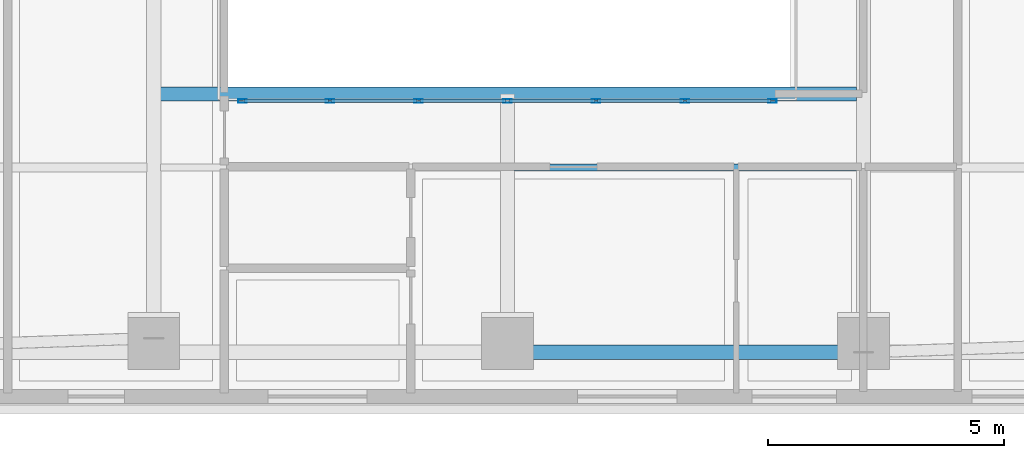
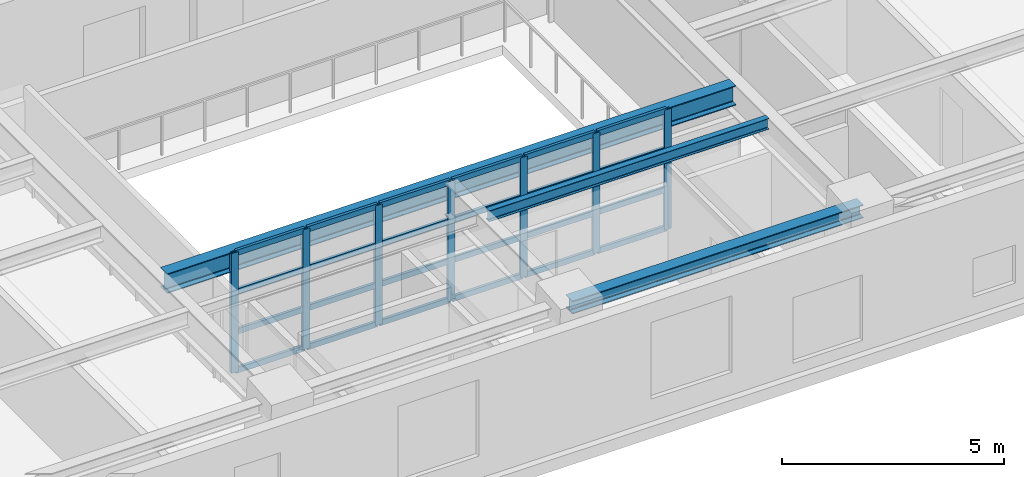
# One storey, part 2 of 12: 31 members, 3 beams, 1 element without a shape of its own.
"""IFC4 building model written with IfcOpenShell, lengths in metres."""

from ifc_helpers import new_model, si_unit, direction, frame, origin, origin_2d, place, context, subcontext, project, spatial, hollow_rectangle, i_section, extrude, material, layer, layer_set, material_profile, profile_set, type_object, element, aggregate, save


model = new_model("IFC4")

# Units and contexts
model_context = context("Model", 3, precision=1e-05, world=origin(), true_north=direction((0.0, 1.0)))
body_context = subcontext(model_context, "Body", "Model", "MODEL_VIEW")
ifc_project = project(units=[si_unit("LENGTHUNIT", "METRE"), si_unit("AREAUNIT", "SQUARE_METRE"), si_unit("VOLUMEUNIT", "CUBIC_METRE"), si_unit("PLANEANGLEUNIT", "RADIAN"), si_unit("MASSUNIT", "GRAM", prefix="KILO")], contexts=[model_context])

# Site, building, storey
site_placement = place(None, origin())
site = spatial("IfcSite", under=ifc_project, at=site_placement, CompositionType="ELEMENT")
building_placement = place(site_placement, origin())
building = spatial("IfcBuilding", under=site, at=building_placement, Name="Zarnavel Station Tower", CompositionType="ELEMENT")
storey_placement = place(building_placement, frame((0.0, 0.0, 159.0)))
storey = spatial("IfcBuildingStorey", under=building, at=storey_placement, Name="L43", CompositionType="ELEMENT", Elevation=159.0)

# Curtain wall, members
ifc_material_1 = material(Name="Aluminium Dark Anodised and Solar-Control Glass", Category="aluminium")
ifc_layer = layer(ifc_material_1, 0.179931640625)
ifc_layer_set = layer_set([ifc_layer], Name="CWS4")
curtain_wall_type = type_object("IfcCurtainWallType", Name="CWS4", PredefinedType="NOTDEFINED", material=ifc_layer_set)
curtain_wall_placement = place(storey_placement, origin())
curtain_wall = element("IfcCurtainWall", 1, at=curtain_wall_placement, inside=storey, type_object=curtain_wall_type, Name="L43 Curtain Wall CWS4-L43-AS", PredefinedType="NOTDEFINED")
ifc_material_2 = material(Name="Steel S355J2 (Black Fluoropolymer Coated)", Category="steel")
ifc_material_profile_1 = material_profile(ifc_material_2, hollow_rectangle(XDim=0.080078125, YDim=0.179931640625, WallThickness=0.00634765625, at=origin_2d()), Name="RHS180x80x6.3")
ifc_profile_set_1 = profile_set([ifc_material_profile_1], Name="Steel S355J2 (Black Fluoropolymer Coated)")
member_type_1 = type_object("IfcMemberType", Name="CWS4_MUL", PredefinedType="MULLION", material=ifc_profile_set_1)
member_1_placement = place(storey_placement, frame((23.179931640625, 16.85009765625, 0.0), z_axis=(0.0, 0.0, 1.0), x_axis=(0.0, 1.0, 0.0)))
member_1 = element("IfcMember", 2, at=member_1_placement, type_object=member_type_1, Name="CW4 mullion 1", PredefinedType="MULLION", context=body_context, shape_type="SweptSolid", body=[
    extrude(hollow_rectangle(XDim=0.080078125, YDim=0.179931640625, WallThickness=0.00634765625, at=origin_2d()), origin(), (0.0, 0.0, 1.0), 3.2900390625),
])
member_2_placement = place(storey_placement, frame((25.033447265625, 16.85009765625, 0.0), z_axis=(0.0, 0.0, 1.0), x_axis=(0.0, 1.0, 0.0)))
member_2 = element("IfcMember", 3, at=member_2_placement, type_object=member_type_1, Name="CW4 mullion 2", PredefinedType="MULLION", context=body_context, shape_type="SweptSolid", body=[
    extrude(hollow_rectangle(XDim=0.080078125, YDim=0.179931640625, WallThickness=0.00634765625, at=origin_2d()), origin(), (0.0, 0.0, 1.0), 3.2900390625),
])
member_3_placement = place(storey_placement, frame((26.916748046875, 16.85009765625, 0.0), z_axis=(0.0, 0.0, 1.0), x_axis=(0.0, 1.0, 0.0)))
member_3 = element("IfcMember", 4, at=member_3_placement, type_object=member_type_1, Name="CW4 mullion 3", PredefinedType="MULLION", context=body_context, shape_type="SweptSolid", body=[
    extrude(hollow_rectangle(XDim=0.080078125, YDim=0.179931640625, WallThickness=0.00634765625, at=origin_2d()), origin(), (0.0, 0.0, 1.0), 3.2900390625),
])
member_4_placement = place(storey_placement, frame((28.800048828125, 16.85009765625, 0.0), z_axis=(0.0, 0.0, 1.0), x_axis=(0.0, 1.0, 0.0)))
member_4 = element("IfcMember", 5, at=member_4_placement, type_object=member_type_1, Name="CW4 mullion 4", PredefinedType="MULLION", context=body_context, shape_type="SweptSolid", body=[
    extrude(hollow_rectangle(XDim=0.080078125, YDim=0.179931640625, WallThickness=0.00634765625, at=origin_2d()), origin(), (0.0, 0.0, 1.0), 3.2900390625),
])
member_5_placement = place(storey_placement, frame((30.683349609375, 16.85009765625, 0.0), z_axis=(0.0, 0.0, 1.0), x_axis=(0.0, 1.0, 0.0)))
member_5 = element("IfcMember", 6, at=member_5_placement, type_object=member_type_1, Name="CW4 mullion 5", PredefinedType="MULLION", context=body_context, shape_type="SweptSolid", body=[
    extrude(hollow_rectangle(XDim=0.080078125, YDim=0.179931640625, WallThickness=0.00634765625, at=origin_2d()), origin(), (0.0, 0.0, 1.0), 3.2900390625),
])
member_6_placement = place(storey_placement, frame((32.566650390625, 16.85009765625, 0.0), z_axis=(0.0, 0.0, 1.0), x_axis=(0.0, 1.0, 0.0)))
member_6 = element("IfcMember", 7, at=member_6_placement, type_object=member_type_1, Name="CW4 mullion 6", PredefinedType="MULLION", context=body_context, shape_type="SweptSolid", body=[
    extrude(hollow_rectangle(XDim=0.080078125, YDim=0.179931640625, WallThickness=0.00634765625, at=origin_2d()), origin(), (0.0, 0.0, 1.0), 3.2900390625),
])
member_7_placement = place(storey_placement, frame((34.419921875, 16.85009765625, 0.0), z_axis=(0.0, 0.0, 1.0), x_axis=(0.0, 1.0, 0.0)))
member_7 = element("IfcMember", 8, at=member_7_placement, type_object=member_type_1, Name="CW4 mullion 7", PredefinedType="MULLION", context=body_context, shape_type="SweptSolid", body=[
    extrude(hollow_rectangle(XDim=0.080078125, YDim=0.179931640625, WallThickness=0.00634765625, at=origin_2d()), origin(), (0.0, 0.0, 1.0), 3.2900390625),
])
ifc_material_3 = material(Name="Steel S355J2 (Black Fluoropolymer Coated)", Category="steel")
ifc_material_profile_2 = material_profile(ifc_material_3, hollow_rectangle(XDim=0.074951171875, YDim=0.14990234375, WallThickness=0.00634765625, at=origin_2d()), Name="RHS150x75x6.3")
ifc_profile_set_2 = profile_set([ifc_material_profile_2], Name="Steel S355J2 (Black Fluoropolymer Coated)")
member_type_2 = type_object("IfcMemberType", Name="CWS4_TRN", PredefinedType="USERDEFINED", material=ifc_profile_set_2)
member_8_placement = place(storey_placement, frame((23.2099609375, 16.85009765625, 0.030029296875), z_axis=(1.0, 0.0, 0.0), x_axis=(0.0, 1.0, 0.0)))
member_8 = element("IfcMember", 9, at=member_8_placement, type_object=member_type_2, Name="CW4 transom 1.1", ObjectType="TRANSOM", PredefinedType="USERDEFINED", context=body_context, shape_type="SweptSolid", body=[
    extrude(hollow_rectangle(XDim=0.074951171875, YDim=0.14990234375, WallThickness=0.00634765625, at=origin_2d()), origin(), (0.0, 0.0, 1.0), 1.79345703125),
])
member_9_placement = place(storey_placement, frame((23.2099609375, 16.85009765625, 1.0966796875), z_axis=(1.0, 0.0, 0.0), x_axis=(0.0, 1.0, 0.0)))
member_9 = element("IfcMember", 10, at=member_9_placement, type_object=member_type_2, Name="CW4 transom 1.2", ObjectType="TRANSOM", PredefinedType="USERDEFINED", context=body_context, shape_type="SweptSolid", body=[
    extrude(hollow_rectangle(XDim=0.074951171875, YDim=0.14990234375, WallThickness=0.00634765625, at=origin_2d()), origin(), (0.0, 0.0, 1.0), 1.79345703125),
])
member_10_placement = place(storey_placement, frame((23.2099609375, 16.85009765625, 2.193359375), z_axis=(1.0, 0.0, 0.0), x_axis=(0.0, 1.0, 0.0)))
member_10 = element("IfcMember", 11, at=member_10_placement, type_object=member_type_2, Name="CW4 transom 1.3", ObjectType="TRANSOM", PredefinedType="USERDEFINED", context=body_context, shape_type="SweptSolid", body=[
    extrude(hollow_rectangle(XDim=0.074951171875, YDim=0.14990234375, WallThickness=0.00634765625, at=origin_2d()), origin(), (0.0, 0.0, 1.0), 1.79345703125),
])
member_11_placement = place(storey_placement, frame((23.2099609375, 16.85009765625, 3.260009765625), z_axis=(1.0, 0.0, 0.0), x_axis=(0.0, 1.0, 0.0)))
member_11 = element("IfcMember", 12, at=member_11_placement, type_object=member_type_2, Name="CW4 transom 1.4", ObjectType="TRANSOM", PredefinedType="USERDEFINED", context=body_context, shape_type="SweptSolid", body=[
    extrude(hollow_rectangle(XDim=0.074951171875, YDim=0.14990234375, WallThickness=0.00634765625, at=origin_2d()), origin(), (0.0, 0.0, 1.0), 1.79345703125),
])
member_12_placement = place(storey_placement, frame((25.063232421875, 16.85009765625, 0.030029296875), z_axis=(1.0, 0.0, 0.0), x_axis=(0.0, 1.0, 0.0)))
member_12 = element("IfcMember", 13, at=member_12_placement, type_object=member_type_2, Name="CW4 transom 2.1", ObjectType="TRANSOM", PredefinedType="USERDEFINED", context=body_context, shape_type="SweptSolid", body=[
    extrude(hollow_rectangle(XDim=0.074951171875, YDim=0.14990234375, WallThickness=0.00634765625, at=origin_2d()), origin(), (0.0, 0.0, 1.0), 1.823486328125),
])
member_13_placement = place(storey_placement, frame((25.063232421875, 16.85009765625, 1.0966796875), z_axis=(1.0, 0.0, 0.0), x_axis=(0.0, 1.0, 0.0)))
member_13 = element("IfcMember", 14, at=member_13_placement, type_object=member_type_2, Name="CW4 transom 2.2", ObjectType="TRANSOM", PredefinedType="USERDEFINED", context=body_context, shape_type="SweptSolid", body=[
    extrude(hollow_rectangle(XDim=0.074951171875, YDim=0.14990234375, WallThickness=0.00634765625, at=origin_2d()), origin(), (0.0, 0.0, 1.0), 1.823486328125),
])
member_14_placement = place(storey_placement, frame((25.063232421875, 16.85009765625, 2.193359375), z_axis=(1.0, 0.0, 0.0), x_axis=(0.0, 1.0, 0.0)))
member_14 = element("IfcMember", 15, at=member_14_placement, type_object=member_type_2, Name="CW4 transom 2.3", ObjectType="TRANSOM", PredefinedType="USERDEFINED", context=body_context, shape_type="SweptSolid", body=[
    extrude(hollow_rectangle(XDim=0.074951171875, YDim=0.14990234375, WallThickness=0.00634765625, at=origin_2d()), origin(), (0.0, 0.0, 1.0), 1.823486328125),
])
member_15_placement = place(storey_placement, frame((25.063232421875, 16.85009765625, 3.260009765625), z_axis=(1.0, 0.0, 0.0), x_axis=(0.0, 1.0, 0.0)))
member_15 = element("IfcMember", 16, at=member_15_placement, type_object=member_type_2, Name="CW4 transom 2.4", ObjectType="TRANSOM", PredefinedType="USERDEFINED", context=body_context, shape_type="SweptSolid", body=[
    extrude(hollow_rectangle(XDim=0.074951171875, YDim=0.14990234375, WallThickness=0.00634765625, at=origin_2d()), origin(), (0.0, 0.0, 1.0), 1.823486328125),
])
member_16_placement = place(storey_placement, frame((26.94677734375, 16.85009765625, 0.030029296875), z_axis=(1.0, 0.0, 0.0), x_axis=(0.0, 1.0, 0.0)))
member_16 = element("IfcMember", 17, at=member_16_placement, type_object=member_type_2, Name="CW4 transom 3.1", ObjectType="TRANSOM", PredefinedType="USERDEFINED", context=body_context, shape_type="SweptSolid", body=[
    extrude(hollow_rectangle(XDim=0.074951171875, YDim=0.14990234375, WallThickness=0.00634765625, at=origin_2d()), origin(), (0.0, 0.0, 1.0), 1.8232421875),
])
member_17_placement = place(storey_placement, frame((26.94677734375, 16.85009765625, 1.0966796875), z_axis=(1.0, 0.0, 0.0), x_axis=(0.0, 1.0, 0.0)))
member_17 = element("IfcMember", 18, at=member_17_placement, type_object=member_type_2, Name="CW4 transom 3.2", ObjectType="TRANSOM", PredefinedType="USERDEFINED", context=body_context, shape_type="SweptSolid", body=[
    extrude(hollow_rectangle(XDim=0.074951171875, YDim=0.14990234375, WallThickness=0.00634765625, at=origin_2d()), origin(), (0.0, 0.0, 1.0), 1.8232421875),
])
member_18_placement = place(storey_placement, frame((26.94677734375, 16.85009765625, 2.193359375), z_axis=(1.0, 0.0, 0.0), x_axis=(0.0, 1.0, 0.0)))
member_18 = element("IfcMember", 19, at=member_18_placement, type_object=member_type_2, Name="CW4 transom 3.3", ObjectType="TRANSOM", PredefinedType="USERDEFINED", context=body_context, shape_type="SweptSolid", body=[
    extrude(hollow_rectangle(XDim=0.074951171875, YDim=0.14990234375, WallThickness=0.00634765625, at=origin_2d()), origin(), (0.0, 0.0, 1.0), 1.8232421875),
])
member_19_placement = place(storey_placement, frame((26.94677734375, 16.85009765625, 3.260009765625), z_axis=(1.0, 0.0, 0.0), x_axis=(0.0, 1.0, 0.0)))
member_19 = element("IfcMember", 20, at=member_19_placement, type_object=member_type_2, Name="CW4 transom 3.4", ObjectType="TRANSOM", PredefinedType="USERDEFINED", context=body_context, shape_type="SweptSolid", body=[
    extrude(hollow_rectangle(XDim=0.074951171875, YDim=0.14990234375, WallThickness=0.00634765625, at=origin_2d()), origin(), (0.0, 0.0, 1.0), 1.8232421875),
])
member_20_placement = place(storey_placement, frame((28.830078125, 16.85009765625, 0.030029296875), z_axis=(1.0, 0.0, 0.0), x_axis=(0.0, 1.0, 0.0)))
member_20 = element("IfcMember", 21, at=member_20_placement, type_object=member_type_2, Name="CW4 transom 4.1", ObjectType="TRANSOM", PredefinedType="USERDEFINED", context=body_context, shape_type="SweptSolid", body=[
    extrude(hollow_rectangle(XDim=0.074951171875, YDim=0.14990234375, WallThickness=0.00634765625, at=origin_2d()), origin(), (0.0, 0.0, 1.0), 1.8232421875),
])
member_21_placement = place(storey_placement, frame((28.830078125, 16.85009765625, 1.0966796875), z_axis=(1.0, 0.0, 0.0), x_axis=(0.0, 1.0, 0.0)))
member_21 = element("IfcMember", 22, at=member_21_placement, type_object=member_type_2, Name="CW4 transom 4.2", ObjectType="TRANSOM", PredefinedType="USERDEFINED", context=body_context, shape_type="SweptSolid", body=[
    extrude(hollow_rectangle(XDim=0.074951171875, YDim=0.14990234375, WallThickness=0.00634765625, at=origin_2d()), origin(), (0.0, 0.0, 1.0), 1.8232421875),
])
member_22_placement = place(storey_placement, frame((28.830078125, 16.85009765625, 2.193359375), z_axis=(1.0, 0.0, 0.0), x_axis=(0.0, 1.0, 0.0)))
member_22 = element("IfcMember", 23, at=member_22_placement, type_object=member_type_2, Name="CW4 transom 4.3", ObjectType="TRANSOM", PredefinedType="USERDEFINED", context=body_context, shape_type="SweptSolid", body=[
    extrude(hollow_rectangle(XDim=0.074951171875, YDim=0.14990234375, WallThickness=0.00634765625, at=origin_2d()), origin(), (0.0, 0.0, 1.0), 1.8232421875),
])
member_23_placement = place(storey_placement, frame((28.830078125, 16.85009765625, 3.260009765625), z_axis=(1.0, 0.0, 0.0), x_axis=(0.0, 1.0, 0.0)))
member_23 = element("IfcMember", 24, at=member_23_placement, type_object=member_type_2, Name="CW4 transom 4.4", ObjectType="TRANSOM", PredefinedType="USERDEFINED", context=body_context, shape_type="SweptSolid", body=[
    extrude(hollow_rectangle(XDim=0.074951171875, YDim=0.14990234375, WallThickness=0.00634765625, at=origin_2d()), origin(), (0.0, 0.0, 1.0), 1.8232421875),
])
member_24_placement = place(storey_placement, frame((30.71337890625, 16.85009765625, 0.030029296875), z_axis=(1.0, 0.0, 0.0), x_axis=(0.0, 1.0, 0.0)))
member_24 = element("IfcMember", 25, at=member_24_placement, type_object=member_type_2, Name="CW4 transom 5.1", ObjectType="TRANSOM", PredefinedType="USERDEFINED", context=body_context, shape_type="SweptSolid", body=[
    extrude(hollow_rectangle(XDim=0.074951171875, YDim=0.14990234375, WallThickness=0.00634765625, at=origin_2d()), origin(), (0.0, 0.0, 1.0), 1.8232421875),
])
member_25_placement = place(storey_placement, frame((30.71337890625, 16.85009765625, 1.0966796875), z_axis=(1.0, 0.0, 0.0), x_axis=(0.0, 1.0, 0.0)))
member_25 = element("IfcMember", 26, at=member_25_placement, type_object=member_type_2, Name="CW4 transom 5.2", ObjectType="TRANSOM", PredefinedType="USERDEFINED", context=body_context, shape_type="SweptSolid", body=[
    extrude(hollow_rectangle(XDim=0.074951171875, YDim=0.14990234375, WallThickness=0.00634765625, at=origin_2d()), origin(), (0.0, 0.0, 1.0), 1.8232421875),
])
member_26_placement = place(storey_placement, frame((30.71337890625, 16.85009765625, 2.193359375), z_axis=(1.0, 0.0, 0.0), x_axis=(0.0, 1.0, 0.0)))
member_26 = element("IfcMember", 27, at=member_26_placement, type_object=member_type_2, Name="CW4 transom 5.3", ObjectType="TRANSOM", PredefinedType="USERDEFINED", context=body_context, shape_type="SweptSolid", body=[
    extrude(hollow_rectangle(XDim=0.074951171875, YDim=0.14990234375, WallThickness=0.00634765625, at=origin_2d()), origin(), (0.0, 0.0, 1.0), 1.8232421875),
])
member_27_placement = place(storey_placement, frame((30.71337890625, 16.85009765625, 3.260009765625), z_axis=(1.0, 0.0, 0.0), x_axis=(0.0, 1.0, 0.0)))
member_27 = element("IfcMember", 28, at=member_27_placement, type_object=member_type_2, Name="CW4 transom 5.4", ObjectType="TRANSOM", PredefinedType="USERDEFINED", context=body_context, shape_type="SweptSolid", body=[
    extrude(hollow_rectangle(XDim=0.074951171875, YDim=0.14990234375, WallThickness=0.00634765625, at=origin_2d()), origin(), (0.0, 0.0, 1.0), 1.8232421875),
])
member_28_placement = place(storey_placement, frame((32.5966796875, 16.85009765625, 0.030029296875), z_axis=(1.0, 0.0, 0.0), x_axis=(0.0, 1.0, 0.0)))
member_28 = element("IfcMember", 29, at=member_28_placement, type_object=member_type_2, Name="CW4 transom 6.1", ObjectType="TRANSOM", PredefinedType="USERDEFINED", context=body_context, shape_type="SweptSolid", body=[
    extrude(hollow_rectangle(XDim=0.074951171875, YDim=0.14990234375, WallThickness=0.00634765625, at=origin_2d()), origin(), (0.0, 0.0, 1.0), 1.793212890625),
])
member_29_placement = place(storey_placement, frame((32.5966796875, 16.85009765625, 1.0966796875), z_axis=(1.0, 0.0, 0.0), x_axis=(0.0, 1.0, 0.0)))
member_29 = element("IfcMember", 30, at=member_29_placement, type_object=member_type_2, Name="CW4 transom 6.2", ObjectType="TRANSOM", PredefinedType="USERDEFINED", context=body_context, shape_type="SweptSolid", body=[
    extrude(hollow_rectangle(XDim=0.074951171875, YDim=0.14990234375, WallThickness=0.00634765625, at=origin_2d()), origin(), (0.0, 0.0, 1.0), 1.793212890625),
])
member_30_placement = place(storey_placement, frame((32.5966796875, 16.85009765625, 2.193359375), z_axis=(1.0, 0.0, 0.0), x_axis=(0.0, 1.0, 0.0)))
member_30 = element("IfcMember", 31, at=member_30_placement, type_object=member_type_2, Name="CW4 transom 6.3", ObjectType="TRANSOM", PredefinedType="USERDEFINED", context=body_context, shape_type="SweptSolid", body=[
    extrude(hollow_rectangle(XDim=0.074951171875, YDim=0.14990234375, WallThickness=0.00634765625, at=origin_2d()), origin(), (0.0, 0.0, 1.0), 1.793212890625),
])
member_31_placement = place(storey_placement, frame((32.5966796875, 16.85009765625, 3.260009765625), z_axis=(1.0, 0.0, 0.0), x_axis=(0.0, 1.0, 0.0)))
member_31 = element("IfcMember", 32, at=member_31_placement, type_object=member_type_2, Name="CW4 transom 6.4", ObjectType="TRANSOM", PredefinedType="USERDEFINED", context=body_context, shape_type="SweptSolid", body=[
    extrude(hollow_rectangle(XDim=0.074951171875, YDim=0.14990234375, WallThickness=0.00634765625, at=origin_2d()), origin(), (0.0, 0.0, 1.0), 1.793212890625),
])
aggregate(curtain_wall, [member_1, member_2, member_3, member_4, member_5, member_6, member_7, member_8, member_9, member_10, member_11, member_12, member_13, member_14, member_15, member_16, member_17, member_18, member_19, member_20, member_21, member_22, member_23, member_24, member_25, member_26, member_27, member_28, member_29, member_30, member_31])

# Beams
ifc_material_4 = material(Name="Steel S355J2", Category="steel")
ifc_material_profile_3 = material_profile(ifc_material_4, i_section(OverallWidth=0.300048828125, OverallDepth=0.360107421875, WebThickness=0.012451171875, FlangeThickness=0.0224609375, FilletRadius=0.027099609375, at=origin_2d()), Name="HEB360")
ifc_profile_set_3 = profile_set([ifc_material_profile_3], Name="Steel S355J2")
beam_type_1 = type_object("IfcBeamType", Name="EB_HEB360", PredefinedType="SPANDREL", material=ifc_profile_set_3)
beam_1_placement = place(storey_placement, frame((28.800048828125, 11.521240234375, 3.110107421875), z_axis=(1.0, 0.0, 0.0), x_axis=(0.0, 1.0, 0.0)))
element("IfcBeam", 33, at=beam_1_placement, inside=storey, type_object=beam_type_1, Name="L43 South Raked Spandrel 3", PredefinedType="SPANDREL", context=body_context, shape_type="SweptSolid", body=[
    extrude(i_section(OverallWidth=0.300048828125, OverallDepth=0.360107421875, WebThickness=0.012451171875, FlangeThickness=0.0224609375, FilletRadius=0.027099609375, at=origin_2d()), origin(), (0.0, 0.0, 1.0), 7.550048828125),
])
ifc_material_5 = material(Name="Steel S355J2", Category="steel")
ifc_material_profile_4 = material_profile(ifc_material_5, i_section(OverallWidth=0.300048828125, OverallDepth=0.5400390625, WebThickness=0.012451171875, FlangeThickness=0.02392578125, FilletRadius=0.027099609375, at=origin_2d()), Name="HEA550")
ifc_profile_set_4 = profile_set([ifc_material_profile_4], Name="Steel S355J2")
beam_type_2 = type_object("IfcBeamType", Name="FB_HEA550", PredefinedType="BEAM", material=ifc_profile_set_4)
beam_2_placement = place(storey_placement, frame((21.445068359375, 17.0, 3.02001953125), z_axis=(1.0, 0.0, 0.0), x_axis=(0.0, 1.0, 0.0)))
element("IfcBeam", 34, at=beam_2_placement, inside=storey, type_object=beam_type_2, Name="L43 Atrium South Edge Girder", PredefinedType="BEAM", context=body_context, shape_type="SweptSolid", body=[
    extrude(i_section(OverallWidth=0.300048828125, OverallDepth=0.5400390625, WebThickness=0.012451171875, FlangeThickness=0.02392578125, FilletRadius=0.027099609375, at=origin_2d()), origin(), (0.0, 0.0, 1.0), 14.760009765625),
])
ifc_material_6 = material(Name="Steel S355J2", Category="steel")
ifc_material_profile_5 = material_profile(ifc_material_6, i_section(OverallWidth=0.14990234375, OverallDepth=0.300048828125, WebThickness=0.007080078125, FlangeThickness=0.0107421875, FilletRadius=0.014892578125, at=origin_2d()), Name="IPE300")
ifc_profile_set_5 = profile_set([ifc_material_profile_5], Name="Steel S355J2")
beam_type_3 = type_object("IfcBeamType", Name="FJ_IPE300", PredefinedType="JOIST", material=ifc_profile_set_5)
beam_3_placement = place(storey_placement, frame((28.945068359375, 15.44091796875, 3.139892578125), z_axis=(1.0, 0.0, 0.0), x_axis=(0.0, 1.0, 0.0)))
element("IfcBeam", 35, at=beam_3_placement, inside=storey, type_object=beam_type_3, Name="L43 Mid-East Joist 1", PredefinedType="JOIST", context=body_context, shape_type="SweptSolid", body=[
    extrude(i_section(OverallWidth=0.14990234375, OverallDepth=0.300048828125, WebThickness=0.007080078125, FlangeThickness=0.0107421875, FilletRadius=0.014892578125, at=origin_2d()), origin(), (0.0, 0.0, 1.0), 7.260009765625),
])

save(model, "model.ifc")
